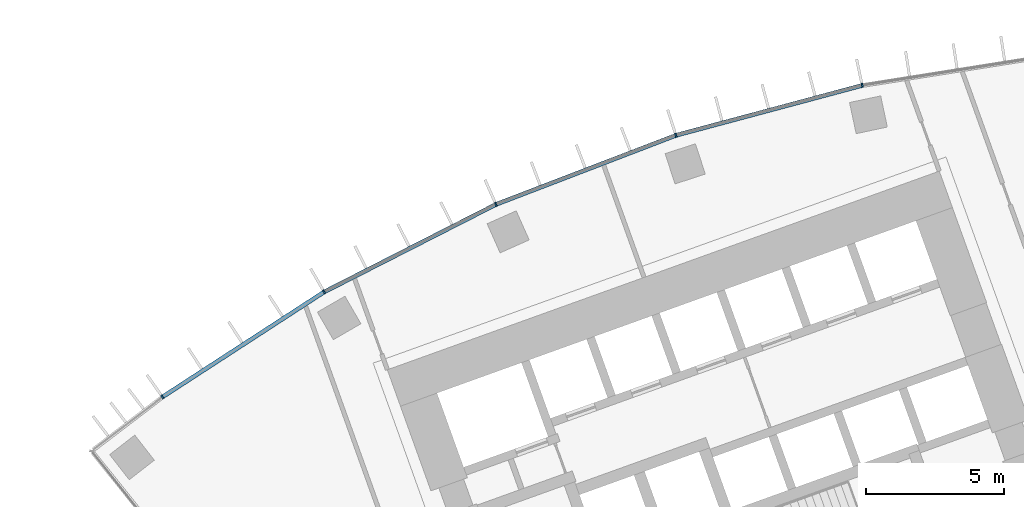
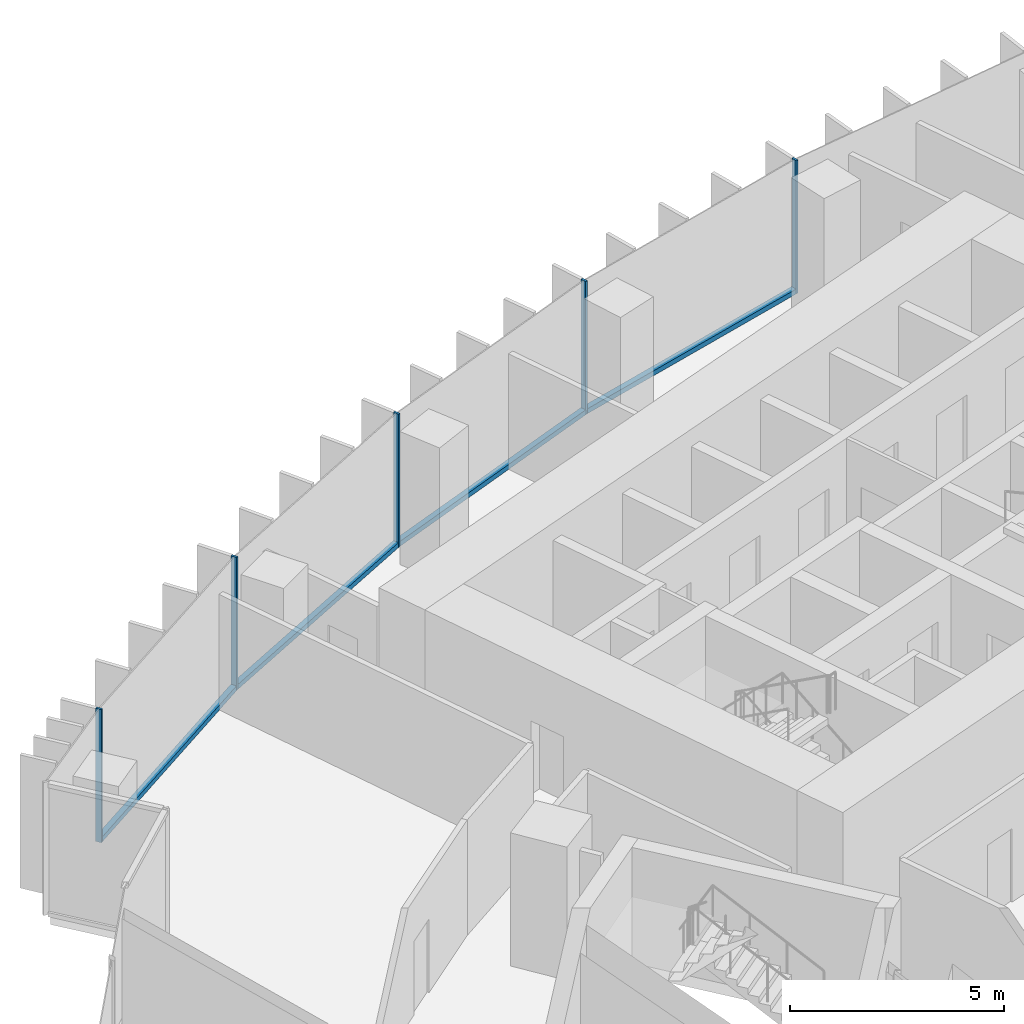
# One storey, part 6 of 22: 9 members, 1 element without a shape of its own.
"""IFC4 building model written with IfcOpenShell, lengths in metres."""

from ifc_helpers import new_model, si_unit, direction, frame, origin, origin_2d, place, context, subcontext, project, spatial, rectangle, extrude, material, layer, layer_set, material_profile, profile_set, type_object, element, aggregate, save


model = new_model("IFC4")

# Units and contexts
model_context = context("Model", 3, precision=1e-05, world=origin(), true_north=direction((0.0, 1.0)))
body_context = subcontext(model_context, "Body", "Model", "MODEL_VIEW")
ifc_project = project(units=[si_unit("LENGTHUNIT", "METRE"), si_unit("AREAUNIT", "SQUARE_METRE"), si_unit("VOLUMEUNIT", "CUBIC_METRE"), si_unit("PLANEANGLEUNIT", "RADIAN"), si_unit("MASSUNIT", "GRAM", prefix="KILO")], contexts=[model_context])

# Site, building, storey
site_placement = place(None, origin())
site = spatial("IfcSite", under=ifc_project, at=site_placement, CompositionType="ELEMENT")
building_placement = place(site_placement, origin())
building = spatial("IfcBuilding", under=site, at=building_placement, Name="Stone Belt Terrace Tower", CompositionType="ELEMENT")
storey_placement = place(building_placement, frame((0.0, 0.0, 132.60009765625)))
storey = spatial("IfcBuildingStorey", under=building, at=storey_placement, Name="L32", CompositionType="ELEMENT", Elevation=132.60009765625)

# Curtain wall, members
ifc_material = material(Name="Aluminium 6063-T6 anodised frame", Category="aluminium")
ifc_layer = layer(ifc_material, 0.14990234375)
ifc_layer_set = layer_set([ifc_layer], Name="CW-A unitised convex-face curtain wall")
curtain_wall_type = type_object("IfcCurtainWallType", Name="CW-A unitised convex-face curtain wall", PredefinedType="NOTDEFINED", material=ifc_layer_set)
curtain_wall_placement = place(storey_placement, origin())
curtain_wall = element("IfcCurtainWall", 1, at=curtain_wall_placement, inside=storey, type_object=curtain_wall_type, Name="CW-A convex face L32", PredefinedType="NOTDEFINED")
ifc_material_profile_1 = material_profile(ifc_material, rectangle(XDim=0.14990234375, YDim=0.06005859375, at=origin_2d()), Name="Aluminium 6063-T6 60x150")
ifc_profile_set_1 = profile_set([ifc_material_profile_1], Name="Aluminium 6063-T6 anodised frame")
member_type_1 = type_object("IfcMemberType", Name="CW-A mullion 60 x 150", PredefinedType="MULLION", material=ifc_profile_set_1)
member_1_placement = place(storey_placement, frame((-13.841796875, 65.120361328125, 0.0), z_axis=(0.0, 0.0, 1.0), x_axis=(0.207911690818, -0.978147600734, 0.0)))
member_1 = element("IfcMember", 2, at=member_1_placement, type_object=member_type_1, Name="CW-A mullion 12", PredefinedType="MULLION", context=body_context, shape_type="SweptSolid", body=[
    extrude(rectangle(XDim=0.14990234375, YDim=0.06005859375, at=origin_2d()), origin(), (0.0, 0.0, 1.0), 3.7998046875),
])
member_2_placement = place(storey_placement, frame((-20.57275390625, 63.316650390625, 0.0), z_axis=(0.0, 0.0, 1.0), x_axis=(0.309016994375, -0.951056516295, 0.0)))
member_2 = element("IfcMember", 3, at=member_2_placement, type_object=member_type_1, Name="CW-A mullion 13", PredefinedType="MULLION", context=body_context, shape_type="SweptSolid", body=[
    extrude(rectangle(XDim=0.14990234375, YDim=0.06005859375, at=origin_2d()), origin(), (0.0, 0.0, 1.0), 3.7998046875),
])
member_3_placement = place(storey_placement, frame((-27.07861328125, 60.8193359375, 0.0), z_axis=(0.0, 0.0, 1.0), x_axis=(0.406736643076, -0.913545457643, 0.0)))
member_3 = element("IfcMember", 4, at=member_3_placement, type_object=member_type_1, Name="CW-A mullion 14", PredefinedType="MULLION", context=body_context, shape_type="SweptSolid", body=[
    extrude(rectangle(XDim=0.14990234375, YDim=0.06005859375, at=origin_2d()), origin(), (0.0, 0.0, 1.0), 3.7998046875),
])
member_4_placement = place(storey_placement, frame((-33.28759765625, 57.65576171875, 0.0), z_axis=(0.0, 0.0, 1.0), x_axis=(0.5, -0.866025403784, 0.0)))
member_4 = element("IfcMember", 5, at=member_4_placement, type_object=member_type_1, Name="CW-A mullion 15", PredefinedType="MULLION", context=body_context, shape_type="SweptSolid", body=[
    extrude(rectangle(XDim=0.14990234375, YDim=0.06005859375, at=origin_2d()), origin(), (0.0, 0.0, 1.0), 3.7998046875),
])
member_5_placement = place(storey_placement, frame((-39.130859375, 53.861083984375, 0.0), z_axis=(0.0, 0.0, 1.0), x_axis=(0.576101937282, -0.81737785501, 0.0)))
member_5 = element("IfcMember", 6, at=member_5_placement, type_object=member_type_1, Name="CW-A mullion 16", PredefinedType="MULLION", context=body_context, shape_type="SweptSolid", body=[
    extrude(rectangle(XDim=0.14990234375, YDim=0.06005859375, at=origin_2d()), origin(), (0.0, 0.0, 1.0), 3.7998046875),
])
ifc_material_profile_2 = material_profile(ifc_material, rectangle(XDim=0.14990234375, YDim=0.139892578125, at=origin_2d()), Name="Aluminium 6063-T6 150x140")
ifc_profile_set_2 = profile_set([ifc_material_profile_2], Name="Aluminium 6063-T6 anodised frame")
member_type_2 = type_object("IfcMemberType", Name="CW-A transom 140 x 150", PredefinedType="USERDEFINED", material=ifc_profile_set_2)
member_6_placement = place(storey_placement, frame((-13.87451171875, 65.111572265625, 0.06982421875), z_axis=(-0.965921835863, -0.258833937117, 0.0), x_axis=(0.258833937117, -0.965921835863, 0.0)))
member_6 = element("IfcMember", 7, at=member_6_placement, type_object=member_type_2, Name="CW-A transom 12.1", ObjectType="TRANSOM", PredefinedType="USERDEFINED", context=body_context, shape_type="SweptSolid", body=[
    extrude(rectangle(XDim=0.14990234375, YDim=0.139892578125, at=origin_2d()), origin(), (0.0, 0.0, 1.0), 6.900634765625),
])
member_7_placement = place(storey_placement, frame((-20.6044921875, 63.304443359375, 0.06982421875), z_axis=(-0.933585210269, -0.358355487146, 0.0), x_axis=(0.358355487146, -0.933585210269, 0.0)))
member_7 = element("IfcMember", 8, at=member_7_placement, type_object=member_type_2, Name="CW-A transom 13.1", ObjectType="TRANSOM", PredefinedType="USERDEFINED", context=body_context, shape_type="SweptSolid", body=[
    extrude(rectangle(XDim=0.14990234375, YDim=0.139892578125, at=origin_2d()), origin(), (0.0, 0.0, 1.0), 6.900634765625),
])
member_8_placement = place(storey_placement, frame((-27.108642578125, 60.803955078125, 0.06982421875), z_axis=(-0.891012226264, -0.453979308613, 0.0), x_axis=(0.453979308613, -0.891012226264, 0.0)))
member_8 = element("IfcMember", 9, at=member_8_placement, type_object=member_type_2, Name="CW-A transom 14.1", ObjectType="TRANSOM", PredefinedType="USERDEFINED", context=body_context, shape_type="SweptSolid", body=[
    extrude(rectangle(XDim=0.14990234375, YDim=0.139892578125, at=origin_2d()), origin(), (0.0, 0.0, 1.0), 6.90087890625),
])
member_9_placement = place(storey_placement, frame((-33.31591796875, 57.63720703125, 0.06982421875), z_axis=(-0.83868440714, -0.544617723931, 0.0), x_axis=(0.544617723931, -0.83868440714, 0.0)))
member_9 = element("IfcMember", 10, at=member_9_placement, type_object=member_type_2, Name="CW-A transom 15.1", ObjectType="TRANSOM", PredefinedType="USERDEFINED", context=body_context, shape_type="SweptSolid", body=[
    extrude(rectangle(XDim=0.14990234375, YDim=0.139892578125, at=origin_2d()), origin(), (0.0, 0.0, 1.0), 6.90087890625),
])
aggregate(curtain_wall, [member_1, member_2, member_3, member_4, member_5, member_6, member_7, member_8, member_9])

save(model, "model.ifc")
